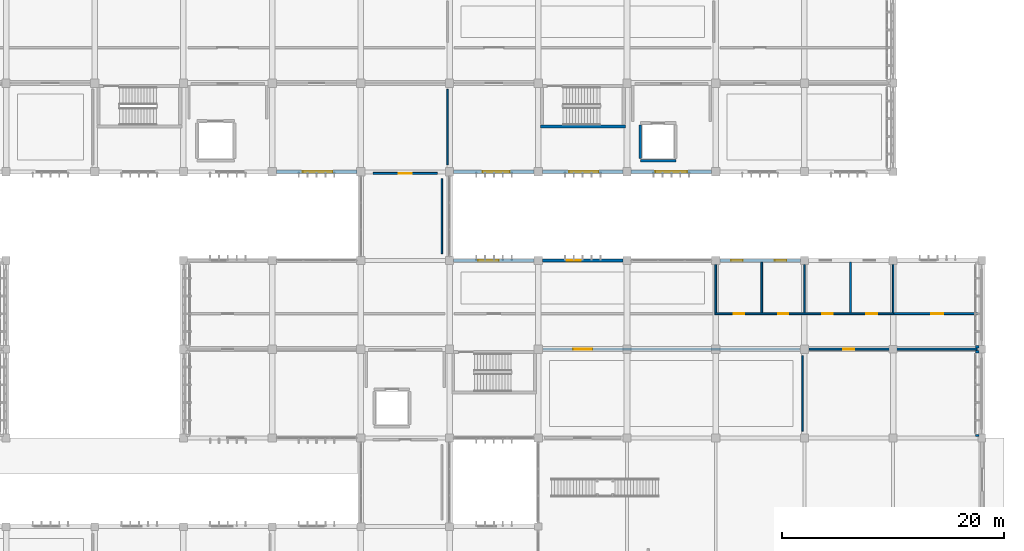
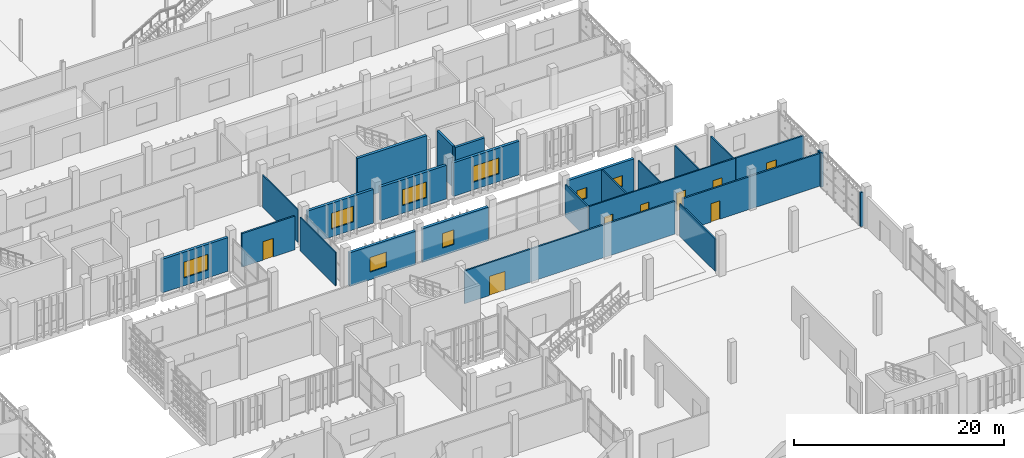
# One storey, part 95 of 117: 26 walls, 8 doors, 8 windows, 16 openings.
"""IFC4 building model written with IfcOpenShell, lengths in metres."""

import ifcopenshell
import ifcopenshell.guid

model = None  # the IFC model being written
_history = None  # IfcOwnerHistory: only IFC2X3 demands one
_inside = {}  # id of a spatial element -> (the spatial element, [elements in it])
_under = {}  # id of a project, library or spatial element -> (it, [spatial elements below it])
_declared = {}  # id of a project -> (the project, [libraries it declares])
_typed = {}  # id of a type object -> (the type object, [elements of that type])
_made_of = {}  # id of a material, layer set ... -> (it, [elements and type objects made of it])


def new_model(schema):
    """Start an empty IFC model of exactly this schema.

    Asked for "IFC4X3", IfcOpenShell would pick the latest addendum, in which some entities
    have other attributes; the version numbers below select the first issue.
    IFC2X3 requires an IfcOwnerHistory on every rooted entity: one is made here for all.
    """
    global model, _history
    if schema == "IFC4X3":
        model = ifcopenshell.file(schema_version=(4, 3, 0, 0))
    else:
        model = ifcopenshell.file(schema=schema)
    _inside.clear()
    _under.clear()
    _declared.clear()
    _typed.clear()
    _made_of.clear()
    _history = None
    if model.schema == "IFC2X3":
        org = make("IfcOrganization", Name="unknown")
        user = make(
            "IfcPersonAndOrganization",
            ThePerson=make("IfcPerson", FamilyName="unknown"),
            TheOrganization=org,
        )
        app = make(
            "IfcApplication",
            ApplicationDeveloper=org,
            Version="unknown",
            ApplicationFullName="unknown",
            ApplicationIdentifier="unknown",
        )
        _history = make(
            "IfcOwnerHistory",
            OwningUser=user,
            OwningApplication=app,
            ChangeAction="ADDED",
            CreationDate=0,
        )
    return model


def make(cls, **values):
    """One entity of the class cls with the attributes given. An attribute that is None is left unset."""
    return model.create_entity(
        cls, **{name: value for name, value in values.items() if value is not None}
    )


def rooted(cls, **values):
    """An entity with a GlobalId (a new one), such as an element, a storey or a relation."""
    return make(cls, GlobalId=ifcopenshell.guid.new(), OwnerHistory=_history, **values)


def si_unit(unit_type, name, prefix=None):
    """IfcSIUnit, for example si_unit("LENGTHUNIT", "METRE", prefix="MILLI")."""
    return make("IfcSIUnit", UnitType=unit_type, Prefix=prefix, Name=name)


def assignment(units):
    """IfcUnitAssignment: the units of a project."""
    return None if units is None else make("IfcUnitAssignment", Units=units)


def point(xyz):
    """IfcCartesianPoint."""
    return None if xyz is None else make("IfcCartesianPoint", Coordinates=xyz)


def direction(xyz):
    """IfcDirection."""
    return None if xyz is None else make("IfcDirection", DirectionRatios=xyz)


def frame(location, z_axis=None, x_axis=None):
    """IfcAxis2Placement3D, a coordinate frame: its origin and axes. An axis left out is left unset."""
    return make(
        "IfcAxis2Placement3D",
        Location=point(location),
        Axis=direction(z_axis),
        RefDirection=direction(x_axis),
    )


def frame_2d(location, x_axis=None):
    """IfcAxis2Placement2D, a coordinate frame in the plane: its origin and x axis."""
    return make(
        "IfcAxis2Placement2D", Location=point(location), RefDirection=direction(x_axis)
    )


def origin():
    """The frame at (0, 0, 0) with its axes left unset."""
    return frame((0.0, 0.0, 0.0))


def place(relative_to, where):
    """IfcLocalPlacement: puts the frame where relative to a parent placement (None: the world)."""
    return make(
        "IfcLocalPlacement", PlacementRelTo=relative_to, RelativePlacement=where
    )


def context(
    kind, dimensions, precision=None, world=None, true_north=None, identifier=None
):
    """IfcGeometricRepresentationContext, for example the 3D "Model" context."""
    return make(
        "IfcGeometricRepresentationContext",
        ContextIdentifier=identifier,
        ContextType=kind,
        CoordinateSpaceDimension=dimensions,
        Precision=precision,
        WorldCoordinateSystem=world,
        TrueNorth=true_north,
    )


def subcontext(parent, identifier, kind, view, scale=None):
    """IfcGeometricRepresentationSubContext, for example "Body" below "Model"."""
    return make(
        "IfcGeometricRepresentationSubContext",
        ContextIdentifier=identifier,
        ContextType=kind,
        ParentContext=parent,
        TargetScale=scale,
        TargetView=view,
    )


def project(units=None, contexts=None):
    """IfcProject with its units and contexts."""
    return rooted(
        "IfcProject",
        Name="project",
        RepresentationContexts=contexts,
        UnitsInContext=assignment(units),
    )


def spatial(cls, under=None, at=None, **own):
    """A site, building, storey or space (cls), placed at a placement, below another one or the project."""
    s = rooted(cls, ObjectPlacement=at, **own)
    if under is not None:
        _under.setdefault(under.id(), (under, []))[1].append(s)
    return s


def profile(cls, at=None, kind="AREA", **sizes):
    """A parametric profile (cls). Its sizes go by their IFC names, for example OverallWidth=200.0."""
    return make(cls, ProfileType=kind, Position=at, **sizes)


def rectangle(**sizes):
    """IfcRectangleProfileDef."""
    return profile("IfcRectangleProfileDef", **sizes)


def extrude(swept, where, along, depth):
    """IfcExtrudedAreaSolid: the profile swept, set in the frame where, extruded along a direction by depth."""
    return make(
        "IfcExtrudedAreaSolid",
        SweptArea=swept,
        Position=where,
        ExtrudedDirection=direction(along),
        Depth=depth,
    )


def shape(context_of_items, identifier, shape_type, items):
    """IfcShapeRepresentation: the items that make up one representation, for example the "Body"."""
    return make(
        "IfcShapeRepresentation",
        ContextOfItems=context_of_items,
        RepresentationIdentifier=identifier,
        RepresentationType=shape_type,
        Items=items,
    )


def material(Name=None, Category=None):
    """IfcMaterial."""
    return make("IfcMaterial", Name=Name, Category=Category)


def layer(
    of_material, thickness, ventilated=None, Name=None, Category=None, Priority=None
):
    """IfcMaterialLayer: one layer of a wall or slab, of a material (None: an air gap)."""
    return make(
        "IfcMaterialLayer",
        Material=of_material,
        LayerThickness=thickness,
        IsVentilated=ventilated,
        Name=Name,
        Category=Category,
        Priority=Priority,
    )


def layer_set(layers, Name=None):
    """IfcMaterialLayerSet."""
    return make("IfcMaterialLayerSet", MaterialLayers=layers, LayerSetName=Name)


def made_of(thing, what):
    """Note that an element or type object is made of a material, layer set ...; save() writes the relation."""
    if what is not None:
        _made_of.setdefault(what.id(), (what, []))[1].append(thing)
    return thing


def type_object(cls, material=None, **own):
    """A type object (cls), such as IfcWallType, which elements share."""
    return made_of(rooted(cls, **own), material)


def element(
    cls,
    number,
    at=None,
    inside=None,
    cuts=None,
    type_object=None,
    material=None,
    context=None,
    identifier="Body",
    shape_type=None,
    held_by="IfcProductDefinitionShape",
    body=None,
    shapes=None,
    **own,
):
    """One element of the class cls, such as IfcWall. Its Tag is "e" and its number.

    at: its placement. inside: the storey or other place that contains it. cuts: it is an
    opening in that element (IfcRelVoidsElement). A single representation is given by context,
    identifier, shape_type and body (its items); several are given by shapes. held_by: the class
    of the entity that holds the representations. save() writes the other relations.
    """
    e = rooted(cls, Tag="e%d" % number, ObjectPlacement=at, **own)
    if body is not None:
        shapes = [shape(context, identifier, shape_type, body)]
    if shapes is not None:
        e.Representation = make(held_by, Representations=shapes)
    if inside is not None:
        _inside.setdefault(inside.id(), (inside, []))[1].append(e)
    if cuts is not None:
        rooted(
            "IfcRelVoidsElement", RelatingBuildingElement=cuts, RelatedOpeningElement=e
        )
    if type_object is not None:
        _typed.setdefault(type_object.id(), (type_object, []))[1].append(e)
    return made_of(e, material)


def fill(opening, filler):
    """IfcRelFillsElement: the door or window that sits in an opening."""
    return rooted(
        "IfcRelFillsElement",
        RelatingOpeningElement=opening,
        RelatedBuildingElement=filler,
    )


def aggregate(whole, parts):
    """IfcRelAggregates: a whole, such as a stair, and the parts it consists of."""
    return rooted("IfcRelAggregates", RelatingObject=whole, RelatedObjects=parts)


def save(model, path):
    """Write the relations noted so far, then the file.

    IfcRelAggregates (storeys below a building ...), IfcRelContainedInSpatialStructure (elements
    in a storey), IfcRelDefinesByType, IfcRelAssociatesMaterial and IfcRelDeclares: one each for
    every whole, place, type object, material and project.
    """
    for whole, parts in _under.values():
        aggregate(whole, parts)
    for where, things in _inside.values():
        rooted(
            "IfcRelContainedInSpatialStructure",
            RelatedElements=things,
            RelatingStructure=where,
        )
    for kind, things in _typed.values():
        rooted("IfcRelDefinesByType", RelatedObjects=things, RelatingType=kind)
    for what, things in _made_of.values():
        rooted("IfcRelAssociatesMaterial", RelatedObjects=things, RelatingMaterial=what)
    for by, libraries in _declared.values():
        rooted("IfcRelDeclares", RelatingContext=by, RelatedDefinitions=libraries)
    model.write(path)


model = new_model("IFC4")

# Units and contexts
model_context = context("Model", 3, precision=1e-05, world=origin(), true_north=direction((0.0, 1.0)))
body_context = subcontext(model_context, "Body", "Model", "MODEL_VIEW")
ifc_project = project(units=[si_unit("LENGTHUNIT", "METRE"), si_unit("AREAUNIT", "SQUARE_METRE"), si_unit("VOLUMEUNIT", "CUBIC_METRE"), si_unit("PLANEANGLEUNIT", "RADIAN"), si_unit("MASSUNIT", "GRAM", prefix="KILO")], contexts=[model_context])

# Site, building, storey
site_placement = place(None, origin())
site = spatial("IfcSite", under=ifc_project, at=site_placement, CompositionType="ELEMENT")
building_placement = place(site_placement, origin())
building = spatial("IfcBuilding", under=site, at=building_placement, Name="Jelvoka-Kovrelna Polytechnic", CompositionType="ELEMENT")
storey_placement = place(building_placement, origin())
storey = spatial("IfcBuildingStorey", under=building, at=storey_placement, Name="L01", CompositionType="ELEMENT", Elevation=0.0)

# Walls
ifc_material_1 = material(Name="Concrete C40/50", Category="concrete")
ifc_layer_1 = layer(ifc_material_1, 0.25)
ifc_layer_set_1 = layer_set([ifc_layer_1], Name="Concrete C40/50")
wall_type_1 = type_object("IfcWallType", Name="Wall_Core_250", PredefinedType="SOLIDWALL", material=ifc_layer_set_1)
wall_1_placement = place(storey_placement, frame((169.199951171875, 57.0, 0.0), z_axis=(0.0, 0.0, 1.0), x_axis=(1.0, 0.0, 0.0)))
element("IfcWall", 1, at=wall_1_placement, inside=storey, type_object=wall_type_1, Name="L01 interior wall 0335", PredefinedType="SOLIDWALL", context=body_context, shape_type="SweptSolid", body=[
    extrude(rectangle(XDim=3.199951171875, YDim=0.25, at=frame_2d((1.60009765625, 0.0))), origin(), (0.0, 0.0, 1.0), 4.800048828125),
])
wall_2_placement = place(storey_placement, frame((169.199951171875, 57.199951171875, 0.0), z_axis=(0.0, 0.0, 1.0), x_axis=(0.0, 1.0, 0.0)))
element("IfcWall", 2, at=wall_2_placement, inside=storey, type_object=wall_type_1, Name="L01 interior wall 0337", PredefinedType="SOLIDWALL", context=body_context, shape_type="SweptSolid", body=[
    extrude(rectangle(XDim=3.0, YDim=0.25, at=frame_2d((1.5, 0.0))), origin(), (0.0, 0.0, 1.0), 4.800048828125),
])

# Wall, opening, door
ifc_material_2 = material(Name="Autoclaved aerated concrete blockwork", Category="masonry")
ifc_layer_2 = layer(ifc_material_2, 0.179931640625)
ifc_layer_set_2 = layer_set([ifc_layer_2], Name="Autoclaved aerated concrete blockwork")
wall_type_2 = type_object("IfcWallType", Name="Wall_Corridor_180", PredefinedType="PARTITIONING", material=ifc_layer_set_2)
wall_3_placement = place(storey_placement, frame((160.429931640625, 40.0, 0.0), z_axis=(0.0, 0.0, 1.0), x_axis=(1.0, 0.0, 0.0)))
wall_3 = element("IfcWall", 3, at=wall_3_placement, inside=storey, type_object=wall_type_2, Name="L01 interior wall 0878", PredefinedType="PARTITIONING", context=body_context, shape_type="SweptSolid", body=[
    extrude(rectangle(XDim=23.14013671875, YDim=0.179931640625, at=frame_2d((11.570068359375, 0.0))), origin(), (0.0, 0.0, 1.0), 3.81005859375),
])
opening_1_placement = place(wall_3_placement, frame((2.699951171875, 0.0, 0.0)))
opening_1 = element("IfcOpeningElement", 4, at=opening_1_placement, cuts=wall_3, Name="Opening D-L01-173", PredefinedType="OPENING", context=body_context, shape_type="SweptSolid", body=[
    extrude(rectangle(XDim=1.739990234375, YDim=2.219970703125, at=frame_2d((0.8701171875, 1.10986328125))), frame((0.0, 0.099853515625, 0.0), z_axis=(0.0, -1.0, 0.0), x_axis=(1.0, 0.0, 0.0)), (0.0, 0.0, 1.0), 0.199951171875),
])
ifc_material_3 = material(Name="Paired hardwood fire-resisting refectory door", Category="wood")
door_type_1 = type_object("IfcDoorType", Name="Door_Fire_FD30_09", OperationType="NOTDEFINED", PredefinedType="DOOR", material=ifc_material_3)
door_1_placement = place(opening_1_placement, origin())
door_1 = element("IfcDoor", 5, at=door_1_placement, inside=storey, type_object=door_type_1, Name="L01 interior door D-L01-173", OperationType="DOUBLE_DOOR_SINGLE_SWING", OverallHeight=2.219970703125, OverallWidth=1.739990234375, PredefinedType="DOOR", context=body_context, shape_type="SweptSolid", body=[
    extrude(rectangle(XDim=1.739990234375, YDim=2.219970703125, at=frame_2d((0.8701171875, 1.10986328125))), frame((0.0, 0.02490234375, 0.0), z_axis=(0.0, -1.0, 0.0), x_axis=(1.0, 0.0, 0.0)), (0.0, 0.0, 1.0), 0.050048828125),
])
fill(opening_1, door_1)

wall_4_placement = place(storey_placement, frame((184.429931640625, 40.0, 0.0), z_axis=(0.0, 0.0, 1.0), x_axis=(1.0, 0.0, 0.0)))
wall_4 = element("IfcWall", 6, at=wall_4_placement, inside=storey, type_object=wall_type_2, Name="L01 interior wall 0880", PredefinedType="PARTITIONING", context=body_context, shape_type="SweptSolid", body=[
    extrude(rectangle(XDim=15.14013671875, YDim=0.179931640625, at=frame_2d((7.570068359375, 0.0))), origin(), (0.0, 0.0, 1.0), 3.81005859375),
])
opening_2_placement = place(wall_4_placement, frame((3.090087890625, 0.0, 0.0)))
opening_2 = element("IfcOpeningElement", 7, at=opening_2_placement, cuts=wall_4, Name="Opening D-L01-174", PredefinedType="OPENING", context=body_context, shape_type="SweptSolid", body=[
    extrude(rectangle(XDim=0.9599609375, YDim=2.14990234375, at=frame_2d((0.47998046875, 1.074951171875))), frame((0.0, 0.099853515625, 0.0), z_axis=(0.0, -1.0, 0.0), x_axis=(1.0, 0.0, 0.0)), (0.0, 0.0, 1.0), 0.199951171875),
])
ifc_material_4 = material(Name="Hardwood solid-core door", Category="wood")
door_type_2 = type_object("IfcDoorType", Name="Door_Int_D07", OperationType="NOTDEFINED", PredefinedType="DOOR", material=ifc_material_4)
door_2_placement = place(opening_2_placement, origin())
door_2 = element("IfcDoor", 8, at=door_2_placement, inside=storey, type_object=door_type_2, Name="L01 interior door D-L01-174", OperationType="SINGLE_SWING_LEFT", OverallHeight=2.14990234375, OverallWidth=0.9599609375, PredefinedType="DOOR", context=body_context, shape_type="SweptSolid", body=[
    extrude(rectangle(XDim=0.9599609375, YDim=2.14990234375, at=frame_2d((0.47998046875, 1.074951171875))), frame((0.0, 0.02490234375, 0.0), z_axis=(0.0, -1.0, 0.0), x_axis=(1.0, 0.0, 0.0)), (0.0, 0.0, 1.0), 0.050048828125),
])
fill(opening_2, door_2)

wall_5_placement = place(storey_placement, frame((192.074951171875, 43.199951171875, 0.0), z_axis=(0.0, 0.0, 1.0), x_axis=(1.0, 0.0, 0.0)))
wall_5 = element("IfcWall", 9, at=wall_5_placement, inside=storey, type_object=wall_type_2, Name="L01 interior wall 0883", PredefinedType="PARTITIONING", context=body_context, shape_type="SweptSolid", body=[
    extrude(rectangle(XDim=7.4951171875, YDim=0.179931640625, at=frame_2d((3.74755859375, 0.0))), origin(), (0.0, 0.0, 1.0), 3.89990234375),
])
opening_3_placement = place(wall_5_placement, frame((3.385009765625, 0.0, 0.0)))
opening_3 = element("IfcOpeningElement", 10, at=opening_3_placement, cuts=wall_5, Name="Opening D-L01-177", PredefinedType="OPENING", context=body_context, shape_type="SweptSolid", body=[
    extrude(rectangle(XDim=1.080078125, YDim=2.14990234375, at=frame_2d((0.5400390625, 1.074951171875))), frame((0.0, 0.099853515625, 0.0), z_axis=(0.0, -1.0, 0.0), x_axis=(1.0, 0.0, 0.0)), (0.0, 0.0, 1.0), 0.199951171875),
])
ifc_material_5 = material(Name="Hardwood acoustic seminar door", Category="wood")
door_type_3 = type_object("IfcDoorType", Name="Door_Int_D10", OperationType="NOTDEFINED", PredefinedType="DOOR", material=ifc_material_5)
door_3_placement = place(opening_3_placement, origin())
door_3 = element("IfcDoor", 11, at=door_3_placement, inside=storey, type_object=door_type_3, Name="L01 interior door D-L01-177", OperationType="SINGLE_SWING_RIGHT", OverallHeight=2.14990234375, OverallWidth=1.080078125, PredefinedType="DOOR", context=body_context, shape_type="SweptSolid", body=[
    extrude(rectangle(XDim=1.080078125, YDim=2.14990234375, at=frame_2d((0.5400390625, 1.074951171875))), frame((0.0, 0.02490234375, 0.0), z_axis=(0.0, -1.0, 0.0), x_axis=(1.0, 0.0, 0.0)), (0.0, 0.0, 1.0), 0.050048828125),
])
fill(opening_3, door_3)

wall_6_placement = place(storey_placement, frame((145.10009765625, 55.85009765625, 0.0), z_axis=(0.0, 0.0, 1.0), x_axis=(1.0, 0.0, 0.0)))
wall_6 = element("IfcWall", 12, at=wall_6_placement, inside=storey, type_object=wall_type_2, Name="L01 interior wall 0907", PredefinedType="PARTITIONING", context=body_context, shape_type="SweptSolid", body=[
    extrude(rectangle(XDim=5.7998046875, YDim=0.179931640625, at=frame_2d((2.89990234375, 0.0))), origin(), (0.0, 0.0, 1.0), 3.89990234375),
])
opening_4_placement = place(wall_6_placement, frame((2.330078125, 0.0, 0.0)))
opening_4 = element("IfcOpeningElement", 13, at=opening_4_placement, cuts=wall_6, Name="Opening D-L01-193", PredefinedType="OPENING", context=body_context, shape_type="SweptSolid", body=[
    extrude(rectangle(XDim=1.139892578125, YDim=2.14990234375, at=frame_2d((0.56982421875, 1.074951171875))), frame((0.0, 0.099853515625, 0.0), z_axis=(0.0, -1.0, 0.0), x_axis=(1.0, 0.0, 0.0)), (0.0, 0.0, 1.0), 0.199951171875),
])
ifc_material_6 = material(Name="Laboratory vision-panel door", Category="wood")
door_type_4 = type_object("IfcDoorType", Name="Door_Int_D11", OperationType="NOTDEFINED", PredefinedType="DOOR", material=ifc_material_6)
door_4_placement = place(opening_4_placement, origin())
door_4 = element("IfcDoor", 14, at=door_4_placement, inside=storey, type_object=door_type_4, Name="L01 interior door D-L01-193", OperationType="SINGLE_SWING_RIGHT", OverallHeight=2.14990234375, OverallWidth=1.139892578125, PredefinedType="DOOR", context=body_context, shape_type="SweptSolid", body=[
    extrude(rectangle(XDim=1.139892578125, YDim=2.14990234375, at=frame_2d((0.56982421875, 1.074951171875))), frame((0.0, 0.02490234375, 0.0), z_axis=(0.0, -1.0, 0.0), x_axis=(1.0, 0.0, 0.0)), (0.0, 0.0, 1.0), 0.050048828125),
])
fill(opening_4, door_4)

# Wall, opening, window
ifc_material_7 = material(Name="Precast concrete C40/50", Category="concrete")
ifc_layer_3 = layer(ifc_material_7, 0.300048828125)
ifc_layer_set_3 = layer_set([ifc_layer_3], Name="Precast concrete C40/50")
wall_type_3 = type_object("IfcWallType", Name="Wall_Ext_White_300", PredefinedType="STANDARD", material=ifc_layer_set_3)
wall_7_placement = place(storey_placement, frame((152.3720703125, 48.0, 0.0), z_axis=(0.0, 0.0, 1.0), x_axis=(1.0, 0.0, 0.0)))
wall_7 = element("IfcWall", 15, at=wall_7_placement, inside=storey, type_object=wall_type_3, Name="L01 exterior wall 0448", PredefinedType="STANDARD", context=body_context, shape_type="SweptSolid", body=[
    extrude(rectangle(XDim=7.255859375, YDim=0.300048828125, at=frame_2d((3.6279296875, 0.0))), origin(), (0.0, 0.0, 1.0), 3.909912109375),
])
opening_5_placement = place(wall_7_placement, frame((2.2080078125, 0.0, 0.89990234375)))
opening_5 = element("IfcOpeningElement", 16, at=opening_5_placement, cuts=wall_7, Name="Opening W-L01-171", PredefinedType="OPENING", context=body_context, shape_type="SweptSolid", body=[
    extrude(rectangle(XDim=1.85009765625, YDim=1.699951171875, at=frame_2d((0.925048828125, 0.85009765625))), frame((0.0, 0.159912109375, 0.0), z_axis=(0.0, -1.0, 0.0), x_axis=(1.0, 0.0, 0.0)), (0.0, 0.0, 1.0), 0.320068359375),
])
ifc_material_8 = material(Name="Thermally broken anodised aluminium and low-e glazing", Category="aluminium")
window_type_1 = type_object("IfcWindowType", Name="Win_Casement_W35", PartitioningType="DOUBLE_PANEL_VERTICAL", PredefinedType="WINDOW", material=ifc_material_8)
window_1_placement = place(opening_5_placement, origin())
window_1 = element("IfcWindow", 17, at=window_1_placement, inside=storey, type_object=window_type_1, Name="L01 aluminium casement window W-L01-171", OverallHeight=1.699951171875, OverallWidth=1.85009765625, PartitioningType="DOUBLE_PANEL_VERTICAL", PredefinedType="WINDOW", context=body_context, shape_type="SweptSolid", body=[
    extrude(rectangle(XDim=1.85009765625, YDim=1.699951171875, at=frame_2d((0.925048828125, 0.85009765625))), frame((0.0, 0.030029296875, 0.0), z_axis=(0.0, -1.0, 0.0), x_axis=(1.0, 0.0, 0.0)), (0.0, 0.0, 1.0), 0.06005859375),
])
fill(opening_5, window_1)

wall_8_placement = place(storey_placement, frame((160.3720703125, 48.0, 0.0), z_axis=(0.0, 0.0, 1.0), x_axis=(1.0, 0.0, 0.0)))
wall_8 = element("IfcWall", 18, at=wall_8_placement, inside=storey, type_object=wall_type_3, Name="L01 exterior wall 0449", PredefinedType="STANDARD", context=body_context, shape_type="SweptSolid", body=[
    extrude(rectangle(XDim=7.255859375, YDim=0.300048828125, at=frame_2d((3.6279296875, 0.0))), origin(), (0.0, 0.0, 1.0), 3.909912109375),
])
opening_6_placement = place(wall_8_placement, frame((2.2080078125, 0.0, 0.89990234375)))
opening_6 = element("IfcOpeningElement", 19, at=opening_6_placement, cuts=wall_8, Name="Opening W-L01-172", PredefinedType="OPENING", context=body_context, shape_type="SweptSolid", body=[
    extrude(rectangle(XDim=1.25, YDim=1.699951171875, at=frame_2d((0.625, 0.85009765625))), frame((0.0, 0.159912109375, 0.0), z_axis=(0.0, -1.0, 0.0), x_axis=(1.0, 0.0, 0.0)), (0.0, 0.0, 1.0), 0.320068359375),
])
ifc_material_9 = material(Name="Thermally broken anodised aluminium and low-e glazing", Category="aluminium")
window_type_2 = type_object("IfcWindowType", Name="Win_Casement_W32", PartitioningType="SINGLE_PANEL", PredefinedType="WINDOW", material=ifc_material_9)
window_2_placement = place(opening_6_placement, origin())
window_2 = element("IfcWindow", 20, at=window_2_placement, inside=storey, type_object=window_type_2, Name="L01 aluminium casement window W-L01-172", OverallHeight=1.699951171875, OverallWidth=1.25, PartitioningType="SINGLE_PANEL", PredefinedType="WINDOW", context=body_context, shape_type="SweptSolid", body=[
    extrude(rectangle(XDim=1.25, YDim=1.699951171875, at=frame_2d((0.625, 0.85009765625))), frame((0.0, 0.030029296875, 0.0), z_axis=(0.0, -1.0, 0.0), x_axis=(1.0, 0.0, 0.0)), (0.0, 0.0, 1.0), 0.06005859375),
])
fill(opening_6, window_2)

# Wall, openings, windows
wall_9_placement = place(storey_placement, frame((176.3720703125, 48.0, 0.0), z_axis=(0.0, 0.0, 1.0), x_axis=(1.0, 0.0, 0.0)))
wall_9 = element("IfcWall", 21, at=wall_9_placement, inside=storey, type_object=wall_type_3, Name="L01 exterior wall 0450", PredefinedType="STANDARD", context=body_context, shape_type="SweptSolid", body=[
    extrude(rectangle(XDim=7.255859375, YDim=0.300048828125, at=frame_2d((3.6279296875, 0.0))), origin(), (0.0, 0.0, 1.0), 3.909912109375),
])
opening_7_placement = place(wall_9_placement, frame((1.008056640625, 0.0, 1.14990234375)))
opening_7 = element("IfcOpeningElement", 22, at=opening_7_placement, cuts=wall_9, Name="Opening W-L01-173", PredefinedType="OPENING", context=body_context, shape_type="SweptSolid", body=[
    extrude(rectangle(XDim=1.050048828125, YDim=1.25, at=frame_2d((0.52490234375, 0.625))), frame((0.0, 0.159912109375, 0.0), z_axis=(0.0, -1.0, 0.0), x_axis=(1.0, 0.0, 0.0)), (0.0, 0.0, 1.0), 0.320068359375),
])
opening_8_placement = place(wall_9_placement, frame((4.9580078125, 0.0, 1.14990234375)))
opening_8 = element("IfcOpeningElement", 23, at=opening_8_placement, cuts=wall_9, Name="Opening W-L01-174", PredefinedType="OPENING", context=body_context, shape_type="SweptSolid", body=[
    extrude(rectangle(XDim=1.050048828125, YDim=1.25, at=frame_2d((0.52490234375, 0.625))), frame((0.0, 0.159912109375, 0.0), z_axis=(0.0, -1.0, 0.0), x_axis=(1.0, 0.0, 0.0)), (0.0, 0.0, 1.0), 0.320068359375),
])
ifc_material_10 = material(Name="Thermally broken anodised aluminium and low-e glazing", Category="aluminium")
window_type_3 = type_object("IfcWindowType", Name="Win_Casement_W01", PartitioningType="SINGLE_PANEL", PredefinedType="WINDOW", material=ifc_material_10)
window_3_placement = place(opening_7_placement, origin())
window_3 = element("IfcWindow", 24, at=window_3_placement, inside=storey, type_object=window_type_3, Name="L01 aluminium casement window W-L01-173", OverallHeight=1.25, OverallWidth=1.050048828125, PartitioningType="SINGLE_PANEL", PredefinedType="WINDOW", context=body_context, shape_type="SweptSolid", body=[
    extrude(rectangle(XDim=1.050048828125, YDim=1.25, at=frame_2d((0.52490234375, 0.625))), frame((0.0, 0.030029296875, 0.0), z_axis=(0.0, -1.0, 0.0), x_axis=(1.0, 0.0, 0.0)), (0.0, 0.0, 1.0), 0.06005859375),
])
fill(opening_7, window_3)
window_4_placement = place(opening_8_placement, origin())
window_4 = element("IfcWindow", 25, at=window_4_placement, inside=storey, type_object=window_type_3, Name="L01 aluminium casement window W-L01-174", OverallHeight=1.25, OverallWidth=1.050048828125, PartitioningType="SINGLE_PANEL", PredefinedType="WINDOW", context=body_context, shape_type="SweptSolid", body=[
    extrude(rectangle(XDim=1.050048828125, YDim=1.25, at=frame_2d((0.52490234375, 0.625))), frame((0.0, 0.030029296875, 0.0), z_axis=(0.0, -1.0, 0.0), x_axis=(1.0, 0.0, 0.0)), (0.0, 0.0, 1.0), 0.06005859375),
])
fill(opening_8, window_4)

# Wall, opening, window
wall_10_placement = place(storey_placement, frame((143.6279296875, 56.0, 0.0), z_axis=(0.0, 0.0, 1.0), x_axis=(-1.0, 0.0, 0.0)))
wall_10 = element("IfcWall", 26, at=wall_10_placement, inside=storey, type_object=wall_type_3, Name="L01 exterior wall 0590", PredefinedType="STANDARD", context=body_context, shape_type="SweptSolid", body=[
    extrude(rectangle(XDim=7.255859375, YDim=0.300048828125, at=frame_2d((3.6279296875, 0.0))), origin(), (0.0, 0.0, 1.0), 3.909912109375),
])
opening_9_placement = place(wall_10_placement, frame((2.2080078125, 0.0, 0.89990234375)))
opening_9 = element("IfcOpeningElement", 27, at=opening_9_placement, cuts=wall_10, Name="Opening W-L01-271", PredefinedType="OPENING", context=body_context, shape_type="SweptSolid", body=[
    extrude(rectangle(XDim=2.64990234375, YDim=1.85009765625, at=frame_2d((1.324951171875, 0.925048828125))), frame((0.0, 0.159912109375, 0.0), z_axis=(0.0, -1.0, 0.0), x_axis=(1.0, 0.0, 0.0)), (0.0, 0.0, 1.0), 0.320068359375),
])
ifc_material_11 = material(Name="Thermally broken anodised aluminium and low-e glazing", Category="aluminium")
window_type_4 = type_object("IfcWindowType", Name="Win_Casement_W49", PartitioningType="DOUBLE_PANEL_VERTICAL", PredefinedType="WINDOW", material=ifc_material_11)
window_5_placement = place(opening_9_placement, origin())
window_5 = element("IfcWindow", 28, at=window_5_placement, inside=storey, type_object=window_type_4, Name="L01 aluminium casement window W-L01-271", OverallHeight=1.85009765625, OverallWidth=2.64990234375, PartitioningType="DOUBLE_PANEL_VERTICAL", PredefinedType="WINDOW", context=body_context, shape_type="SweptSolid", body=[
    extrude(rectangle(XDim=2.64990234375, YDim=1.85009765625, at=frame_2d((1.324951171875, 0.925048828125))), frame((0.0, 0.030029296875, 0.0), z_axis=(0.0, -1.0, 0.0), x_axis=(1.0, 0.0, 0.0)), (0.0, 0.0, 1.0), 0.06005859375),
])
fill(opening_9, window_5)

wall_11_placement = place(storey_placement, frame((159.6279296875, 56.0, 0.0), z_axis=(0.0, 0.0, 1.0), x_axis=(-1.0, 0.0, 0.0)))
wall_11 = element("IfcWall", 29, at=wall_11_placement, inside=storey, type_object=wall_type_3, Name="L01 exterior wall 0593", PredefinedType="STANDARD", context=body_context, shape_type="SweptSolid", body=[
    extrude(rectangle(XDim=7.255859375, YDim=0.300048828125, at=frame_2d((3.6279296875, 0.0))), origin(), (0.0, 0.0, 1.0), 3.909912109375),
])
opening_10_placement = place(wall_11_placement, frame((2.2080078125, 0.0, 0.89990234375)))
opening_10 = element("IfcOpeningElement", 30, at=opening_10_placement, cuts=wall_11, Name="Opening W-L01-273", PredefinedType="OPENING", context=body_context, shape_type="SweptSolid", body=[
    extrude(rectangle(XDim=2.449951171875, YDim=1.85009765625, at=frame_2d((1.22509765625, 0.925048828125))), frame((0.0, 0.159912109375, 0.0), z_axis=(0.0, -1.0, 0.0), x_axis=(1.0, 0.0, 0.0)), (0.0, 0.0, 1.0), 0.320068359375),
])
ifc_material_12 = material(Name="Thermally broken anodised aluminium and low-e glazing", Category="aluminium")
window_type_5 = type_object("IfcWindowType", Name="Win_Casement_W48", PartitioningType="DOUBLE_PANEL_VERTICAL", PredefinedType="WINDOW", material=ifc_material_12)
window_6_placement = place(opening_10_placement, origin())
window_6 = element("IfcWindow", 31, at=window_6_placement, inside=storey, type_object=window_type_5, Name="L01 aluminium casement window W-L01-273", OverallHeight=1.85009765625, OverallWidth=2.449951171875, PartitioningType="DOUBLE_PANEL_VERTICAL", PredefinedType="WINDOW", context=body_context, shape_type="SweptSolid", body=[
    extrude(rectangle(XDim=2.449951171875, YDim=1.85009765625, at=frame_2d((1.22509765625, 0.925048828125))), frame((0.0, 0.030029296875, 0.0), z_axis=(0.0, -1.0, 0.0), x_axis=(1.0, 0.0, 0.0)), (0.0, 0.0, 1.0), 0.06005859375),
])
fill(opening_10, window_6)

wall_12_placement = place(storey_placement, frame((167.6279296875, 56.0, 0.0), z_axis=(0.0, 0.0, 1.0), x_axis=(-1.0, 0.0, 0.0)))
wall_12 = element("IfcWall", 32, at=wall_12_placement, inside=storey, type_object=wall_type_3, Name="L01 exterior wall 0595", PredefinedType="STANDARD", context=body_context, shape_type="SweptSolid", body=[
    extrude(rectangle(XDim=7.255859375, YDim=0.300048828125, at=frame_2d((3.6279296875, 0.0))), origin(), (0.0, 0.0, 1.0), 3.909912109375),
])
opening_11_placement = place(wall_12_placement, frame((2.2080078125, 0.0, 0.89990234375)))
opening_11 = element("IfcOpeningElement", 33, at=opening_11_placement, cuts=wall_12, Name="Opening W-L01-274", PredefinedType="OPENING", context=body_context, shape_type="SweptSolid", body=[
    extrude(rectangle(XDim=2.64990234375, YDim=1.85009765625, at=frame_2d((1.324951171875, 0.925048828125))), frame((0.0, 0.159912109375, 0.0), z_axis=(0.0, -1.0, 0.0), x_axis=(1.0, 0.0, 0.0)), (0.0, 0.0, 1.0), 0.320068359375),
])
window_7_placement = place(opening_11_placement, origin())
window_7 = element("IfcWindow", 34, at=window_7_placement, inside=storey, type_object=window_type_4, Name="L01 aluminium casement window W-L01-274", OverallHeight=1.85009765625, OverallWidth=2.64990234375, PartitioningType="DOUBLE_PANEL_VERTICAL", PredefinedType="WINDOW", context=body_context, shape_type="SweptSolid", body=[
    extrude(rectangle(XDim=2.64990234375, YDim=1.85009765625, at=frame_2d((1.324951171875, 0.925048828125))), frame((0.0, 0.030029296875, 0.0), z_axis=(0.0, -1.0, 0.0), x_axis=(1.0, 0.0, 0.0)), (0.0, 0.0, 1.0), 0.06005859375),
])
fill(opening_11, window_7)

wall_13_placement = place(storey_placement, frame((175.6279296875, 56.0, 0.0), z_axis=(0.0, 0.0, 1.0), x_axis=(-1.0, 0.0, 0.0)))
wall_13 = element("IfcWall", 35, at=wall_13_placement, inside=storey, type_object=wall_type_3, Name="L01 exterior wall 0597", PredefinedType="STANDARD", context=body_context, shape_type="SweptSolid", body=[
    extrude(rectangle(XDim=7.255859375, YDim=0.300048828125, at=frame_2d((3.6279296875, 0.0))), origin(), (0.0, 0.0, 1.0), 3.909912109375),
])
opening_12_placement = place(wall_13_placement, frame((2.2080078125, 0.0, 0.89990234375)))
opening_12 = element("IfcOpeningElement", 36, at=opening_12_placement, cuts=wall_13, Name="Opening W-L01-276", PredefinedType="OPENING", context=body_context, shape_type="SweptSolid", body=[
    extrude(rectangle(XDim=2.85009765625, YDim=1.85009765625, at=frame_2d((1.425048828125, 0.925048828125))), frame((0.0, 0.159912109375, 0.0), z_axis=(0.0, -1.0, 0.0), x_axis=(1.0, 0.0, 0.0)), (0.0, 0.0, 1.0), 0.320068359375),
])
ifc_material_13 = material(Name="Thermally broken anodised aluminium and low-e glazing", Category="aluminium")
window_type_6 = type_object("IfcWindowType", Name="Win_Casement_W50", PartitioningType="DOUBLE_PANEL_VERTICAL", PredefinedType="WINDOW", material=ifc_material_13)
window_8_placement = place(opening_12_placement, origin())
window_8 = element("IfcWindow", 37, at=window_8_placement, inside=storey, type_object=window_type_6, Name="L01 aluminium casement window W-L01-276", OverallHeight=1.85009765625, OverallWidth=2.85009765625, PartitioningType="DOUBLE_PANEL_VERTICAL", PredefinedType="WINDOW", context=body_context, shape_type="SweptSolid", body=[
    extrude(rectangle(XDim=2.85009765625, YDim=1.85009765625, at=frame_2d((1.425048828125, 0.925048828125))), frame((0.0, 0.030029296875, 0.0), z_axis=(0.0, -1.0, 0.0), x_axis=(1.0, 0.0, 0.0)), (0.0, 0.0, 1.0), 0.06005859375),
])
fill(opening_12, window_8)

# Walls
ifc_material_14 = material(Name="Precast concrete C40/50", Category="concrete")
ifc_layer_4 = layer(ifc_material_14, 0.199951171875)
ifc_layer_set_4 = layer_set([ifc_layer_4], Name="Precast concrete C40/50")
wall_type_4 = type_object("IfcWallType", Name="Wall_Parapet_200", PredefinedType="PARAPET", material=ifc_layer_set_4)
for number, where, z_axis, x_axis, name in (
    (38, (199.760009765625, 32.219970703125, 0.0), (0.0, 0.0, 1.0), (-1.0, 0.0, 0.0), "L01 exterior wall 0457"),
    (39, (199.760009765625, 39.780029296875, 0.0), (0.0, 0.0, 1.0), (-1.0, 0.0, 0.0), "L01 exterior wall 0458"),
    (40, (199.760009765625, 40.219970703125, 0.0), (0.0, 0.0, 1.0), (-1.0, 0.0, 0.0), "L01 exterior wall 0459"),
):
    element("IfcWall", number, at=place(storey_placement, frame(where, z_axis=z_axis, x_axis=x_axis)), inside=storey, type_object=wall_type_4, Name=name, PredefinedType="PARAPET", context=body_context, shape_type="SweptSolid", body=[
        extrude(rectangle(XDim=0.320068359375, YDim=0.199951171875, at=frame_2d((0.16015625, 0.0))), origin(), (0.0, 0.0, 1.0), 3.949951171875),
    ])
ifc_material_15 = material(Name="Acoustic gypsum stud partition")
ifc_layer_5 = layer(ifc_material_15, 0.125)
ifc_layer_set_5 = layer_set([ifc_layer_5], Name="Acoustic gypsum stud partition")
wall_type_5 = type_object("IfcWallType", Name="Wall_Partition_125", PredefinedType="PARTITIONING", material=ifc_layer_set_5)
wall_14_placement = place(storey_placement, frame((151.820068359375, 56.6201171875, 0.0), z_axis=(0.0, 0.0, 1.0), x_axis=(0.0, 1.0, 0.0)))
element("IfcWall", 41, at=wall_14_placement, inside=storey, type_object=wall_type_5, Name="L01 interior wall 0889", PredefinedType="PARTITIONING", context=body_context, shape_type="SweptSolid", body=[
    extrude(rectangle(XDim=6.809814453125, YDim=0.125, at=frame_2d((3.40478515625, 0.0))), origin(), (0.0, 0.0, 1.0), 3.760009765625),
])
wall_15_placement = place(storey_placement, frame((151.300048828125, 48.6201171875, 0.0), z_axis=(0.0, 0.0, 1.0), x_axis=(0.0, 1.0, 0.0)))
element("IfcWall", 42, at=wall_15_placement, inside=storey, type_object=wall_type_5, Name="L01 interior wall 0908", PredefinedType="PARTITIONING", context=body_context, shape_type="SweptSolid", body=[
    extrude(rectangle(XDim=6.759765625, YDim=0.125, at=frame_2d((3.3798828125, 0.0))), origin(), (0.0, 0.0, 1.0), 3.89990234375),
])

# Wall, openings, doors
ifc_material_16 = material(Name="Autoclaved aerated concrete blockwork", Category="masonry")
ifc_layer_6 = layer(ifc_material_16, 0.14990234375)
ifc_layer_set_6 = layer_set([ifc_layer_6], Name="Autoclaved aerated concrete blockwork")
wall_type_6 = type_object("IfcWallType", Name="Wall_Partition_150", PredefinedType="PARTITIONING", material=ifc_layer_set_6)
wall_16_placement = place(storey_placement, frame((175.925048828125, 43.199951171875, 0.0), z_axis=(0.0, 0.0, 1.0), x_axis=(1.0, 0.0, 0.0)))
wall_16 = element("IfcWall", 43, at=wall_16_placement, inside=storey, type_object=wall_type_6, Name="L01 interior wall 0844", PredefinedType="PARTITIONING", context=body_context, shape_type="SweptSolid", body=[
    extrude(rectangle(XDim=16.14990234375, YDim=0.14990234375, at=frame_2d((8.074951171875, 0.0))), origin(), (0.0, 0.0, 1.0), 3.89990234375),
])
opening_13_placement = place(wall_16_placement, frame((1.715087890625, 0.0, 0.0)))
opening_13 = element("IfcOpeningElement", 44, at=opening_13_placement, cuts=wall_16, Name="Opening D-L01-150", PredefinedType="OPENING", context=body_context, shape_type="SweptSolid", body=[
    extrude(rectangle(XDim=0.919921875, YDim=2.1201171875, at=frame_2d((0.4599609375, 1.06005859375))), frame((0.0, 0.0849609375, 0.0), z_axis=(0.0, -1.0, 0.0), x_axis=(1.0, 0.0, 0.0)), (0.0, 0.0, 1.0), 0.169921875),
])
opening_14_placement = place(wall_16_placement, frame((5.695068359375, 0.0, 0.0)))
opening_14 = element("IfcOpeningElement", 45, at=opening_14_placement, cuts=wall_16, Name="Opening D-L01-151", PredefinedType="OPENING", context=body_context, shape_type="SweptSolid", body=[
    extrude(rectangle(XDim=0.919921875, YDim=2.1201171875, at=frame_2d((0.4599609375, 1.06005859375))), frame((0.0, 0.0849609375, 0.0), z_axis=(0.0, -1.0, 0.0), x_axis=(1.0, 0.0, 0.0)), (0.0, 0.0, 1.0), 0.169921875),
])
opening_15_placement = place(wall_16_placement, frame((9.6650390625, 0.0, 0.0)))
opening_15 = element("IfcOpeningElement", 46, at=opening_15_placement, cuts=wall_16, Name="Opening D-L01-152", PredefinedType="OPENING", context=body_context, shape_type="SweptSolid", body=[
    extrude(rectangle(XDim=0.97998046875, YDim=2.1201171875, at=frame_2d((0.489990234375, 1.06005859375))), frame((0.0, 0.0849609375, 0.0), z_axis=(0.0, -1.0, 0.0), x_axis=(1.0, 0.0, 0.0)), (0.0, 0.0, 1.0), 0.169921875),
])
opening_16_placement = place(wall_16_placement, frame((13.655029296875, 0.0, 0.0)))
opening_16 = element("IfcOpeningElement", 47, at=opening_16_placement, cuts=wall_16, Name="Opening D-L01-153", PredefinedType="OPENING", context=body_context, shape_type="SweptSolid", body=[
    extrude(rectangle(XDim=1.0, YDim=2.14990234375, at=frame_2d((0.5, 1.074951171875))), frame((0.0, 0.0849609375, 0.0), z_axis=(0.0, -1.0, 0.0), x_axis=(1.0, 0.0, 0.0)), (0.0, 0.0, 1.0), 0.169921875),
])
ifc_material_17 = material(Name="Hardwood acoustic seminar door", Category="wood")
door_type_5 = type_object("IfcDoorType", Name="Door_Int_D08", OperationType="NOTDEFINED", PredefinedType="DOOR", material=ifc_material_17)
door_5_placement = place(opening_16_placement, origin())
door_5 = element("IfcDoor", 48, at=door_5_placement, inside=storey, type_object=door_type_5, Name="L01 interior door D-L01-153", OperationType="SINGLE_SWING_RIGHT", OverallHeight=2.14990234375, OverallWidth=1.0, PredefinedType="DOOR", context=body_context, shape_type="SweptSolid", body=[
    extrude(rectangle(XDim=1.0, YDim=2.14990234375, at=frame_2d((0.5, 1.074951171875))), frame((0.0, 0.02490234375, 0.0), z_axis=(0.0, -1.0, 0.0), x_axis=(1.0, 0.0, 0.0)), (0.0, 0.0, 1.0), 0.050048828125),
])
fill(opening_16, door_5)
ifc_material_18 = material(Name="Moisture-resistant laminate washroom door", Category="wood")
door_type_6 = type_object("IfcDoorType", Name="Door_Int_D24", OperationType="NOTDEFINED", PredefinedType="DOOR", material=ifc_material_18)
door_6_placement = place(opening_13_placement, origin())
door_6 = element("IfcDoor", 49, at=door_6_placement, inside=storey, type_object=door_type_6, Name="L01 interior door D-L01-150", OperationType="SINGLE_SWING_LEFT", OverallHeight=2.1201171875, OverallWidth=0.919921875, PredefinedType="DOOR", context=body_context, shape_type="SweptSolid", body=[
    extrude(rectangle(XDim=0.919921875, YDim=2.1201171875, at=frame_2d((0.4599609375, 1.06005859375))), frame((0.0, 0.02490234375, 0.0), z_axis=(0.0, -1.0, 0.0), x_axis=(1.0, 0.0, 0.0)), (0.0, 0.0, 1.0), 0.050048828125),
])
fill(opening_13, door_6)
door_7_placement = place(opening_14_placement, origin())
door_7 = element("IfcDoor", 50, at=door_7_placement, inside=storey, type_object=door_type_6, Name="L01 interior door D-L01-151", OperationType="SINGLE_SWING_RIGHT", OverallHeight=2.1201171875, OverallWidth=0.919921875, PredefinedType="DOOR", context=body_context, shape_type="SweptSolid", body=[
    extrude(rectangle(XDim=0.919921875, YDim=2.1201171875, at=frame_2d((0.4599609375, 1.06005859375))), frame((0.0, 0.02490234375, 0.0), z_axis=(0.0, -1.0, 0.0), x_axis=(1.0, 0.0, 0.0)), (0.0, 0.0, 1.0), 0.050048828125),
])
fill(opening_14, door_7)
ifc_material_19 = material(Name="Accessible unisex washroom door", Category="wood")
door_type_7 = type_object("IfcDoorType", Name="Door_Int_D25", OperationType="NOTDEFINED", PredefinedType="DOOR", material=ifc_material_19)
door_8_placement = place(opening_15_placement, origin())
door_8 = element("IfcDoor", 51, at=door_8_placement, inside=storey, type_object=door_type_7, Name="L01 interior door D-L01-152", OperationType="SINGLE_SWING_LEFT", OverallHeight=2.1201171875, OverallWidth=0.97998046875, PredefinedType="DOOR", context=body_context, shape_type="SweptSolid", body=[
    extrude(rectangle(XDim=0.97998046875, YDim=2.1201171875, at=frame_2d((0.489990234375, 1.06005859375))), frame((0.0, 0.02490234375, 0.0), z_axis=(0.0, -1.0, 0.0), x_axis=(1.0, 0.0, 0.0)), (0.0, 0.0, 1.0), 0.050048828125),
])
fill(opening_15, door_8)

# Walls
wall_17_placement = place(storey_placement, frame((176.0, 43.27490234375, 0.0), z_axis=(0.0, 0.0, 1.0), x_axis=(0.0, 1.0, 0.0)))
element("IfcWall", 52, at=wall_17_placement, inside=storey, type_object=wall_type_6, Name="L01 interior wall 0845", PredefinedType="PARTITIONING", context=body_context, shape_type="SweptSolid", body=[
    extrude(rectangle(XDim=4.35009765625, YDim=0.14990234375, at=frame_2d((2.175048828125, 0.0))), origin(), (0.0, 0.0, 1.0), 3.760009765625),
])
wall_18_placement = place(storey_placement, frame((180.14990234375, 43.27490234375, 0.0), z_axis=(0.0, 0.0, 1.0), x_axis=(0.0, 1.0, 0.0)))
element("IfcWall", 53, at=wall_18_placement, inside=storey, type_object=wall_type_6, Name="L01 interior wall 0846", PredefinedType="PARTITIONING", context=body_context, shape_type="SweptSolid", body=[
    extrude(rectangle(XDim=4.5751953125, YDim=0.14990234375, at=frame_2d((2.28759765625, 0.0))), origin(), (0.0, 0.0, 1.0), 3.89990234375),
])
wall_19_placement = place(storey_placement, frame((184.0, 43.27490234375, 0.0), z_axis=(0.0, 0.0, 1.0), x_axis=(0.0, 1.0, 0.0)))
element("IfcWall", 54, at=wall_19_placement, inside=storey, type_object=wall_type_6, Name="L01 interior wall 0847", PredefinedType="PARTITIONING", context=body_context, shape_type="SweptSolid", body=[
    extrude(rectangle(XDim=4.35009765625, YDim=0.14990234375, at=frame_2d((2.175048828125, 0.0))), origin(), (0.0, 0.0, 1.0), 3.760009765625),
])
wall_20_placement = place(storey_placement, frame((188.14990234375, 43.27490234375, 0.0), z_axis=(0.0, 0.0, 1.0), x_axis=(0.0, 1.0, 0.0)))
element("IfcWall", 55, at=wall_20_placement, inside=storey, type_object=wall_type_6, Name="L01 interior wall 0848", PredefinedType="PARTITIONING", context=body_context, shape_type="SweptSolid", body=[
    extrude(rectangle(XDim=4.5751953125, YDim=0.14990234375, at=frame_2d((2.28759765625, 0.0))), origin(), (0.0, 0.0, 1.0), 3.89990234375),
])
wall_21_placement = place(storey_placement, frame((192.0, 43.27490234375, 0.0), z_axis=(0.0, 0.0, 1.0), x_axis=(0.0, 1.0, 0.0)))
element("IfcWall", 56, at=wall_21_placement, inside=storey, type_object=wall_type_6, Name="L01 interior wall 0849", PredefinedType="PARTITIONING", context=body_context, shape_type="SweptSolid", body=[
    extrude(rectangle(XDim=4.375, YDim=0.14990234375, at=frame_2d((2.1875, 0.0))), origin(), (0.0, 0.0, 1.0), 3.760009765625),
])
wall_22_placement = place(storey_placement, frame((183.820068359375, 32.6201171875, 0.0), z_axis=(0.0, 0.0, 1.0), x_axis=(0.0, 1.0, 0.0)))
element("IfcWall", 57, at=wall_22_placement, inside=storey, type_object=wall_type_6, Name="L01 interior wall 0879", PredefinedType="PARTITIONING", context=body_context, shape_type="SweptSolid", body=[
    extrude(rectangle(XDim=6.809814453125, YDim=0.14990234375, at=frame_2d((3.40478515625, 0.0))), origin(), (0.0, 0.0, 1.0), 3.760009765625),
])
ifc_material_20 = material(Name="Concrete C40/50", Category="concrete")
ifc_layer_7 = layer(ifc_material_20, 0.300048828125)
ifc_layer_set_7 = layer_set([ifc_layer_7], Name="Concrete C40/50")
wall_type_7 = type_object("IfcWallType", Name="Wall_Shear_300", PredefinedType="SHEAR", material=ifc_layer_set_7)
wall_23_placement = place(storey_placement, frame((160.199951171875, 60.090087890625, 0.0), z_axis=(0.0, 0.0, 1.0), x_axis=(1.0, 0.0, 0.0)))
element("IfcWall", 58, at=wall_23_placement, inside=storey, type_object=wall_type_7, Name="L01 interior wall 0185", PredefinedType="SHEAR", context=body_context, shape_type="SweptSolid", body=[
    extrude(rectangle(XDim=7.650146484375, YDim=0.300048828125, at=frame_2d((3.8251953125, 0.0))), origin(), (0.0, 0.0, 1.0), 4.800048828125),
])

save(model, "model.ifc")
